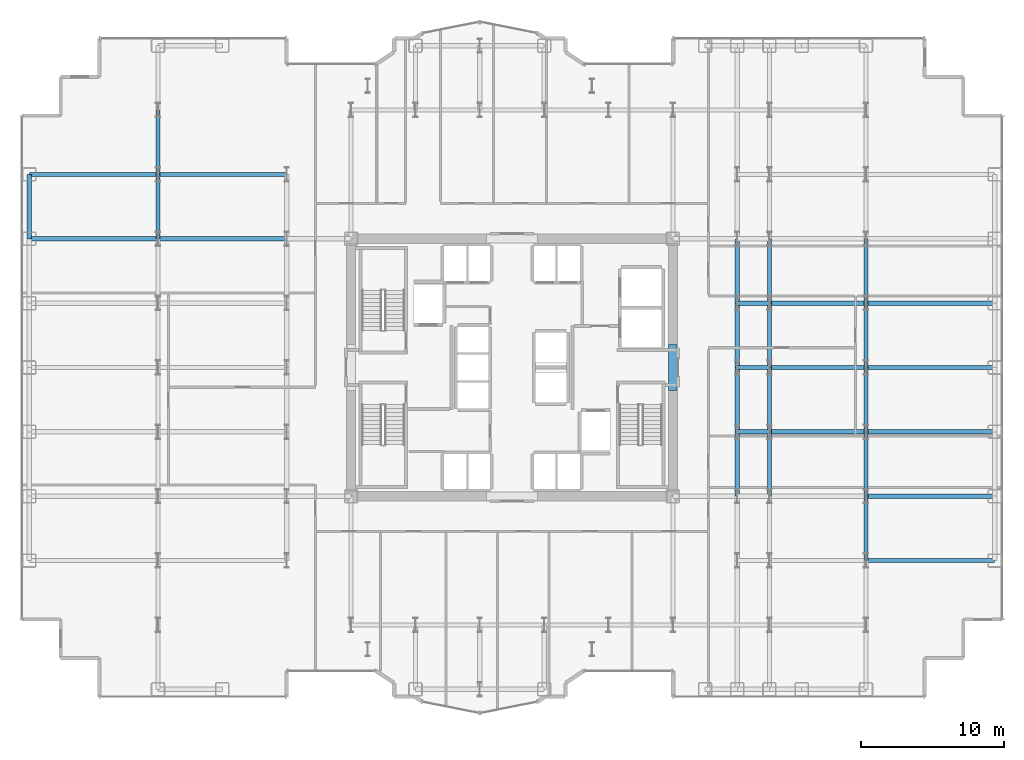
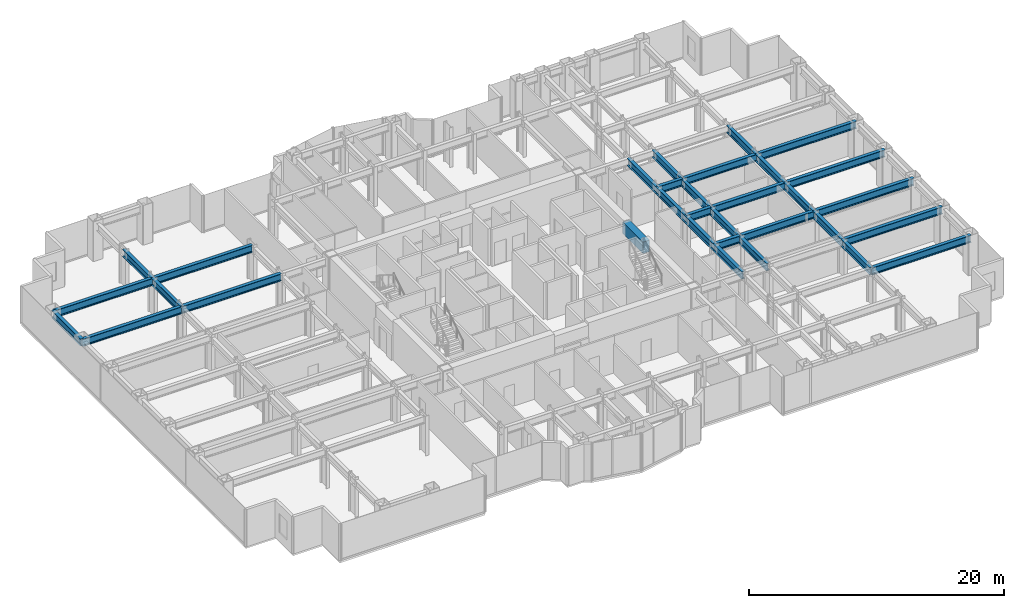
# One storey, part 8 of 26: 32 beams.
"""IFC4 building model written with IfcOpenShell, lengths in metres."""

import ifcopenshell
import ifcopenshell.guid

model = None  # the IFC model being written
_history = None  # IfcOwnerHistory: only IFC2X3 demands one
_inside = {}  # id of a spatial element -> (the spatial element, [elements in it])
_under = {}  # id of a project, library or spatial element -> (it, [spatial elements below it])
_declared = {}  # id of a project -> (the project, [libraries it declares])
_typed = {}  # id of a type object -> (the type object, [elements of that type])
_made_of = {}  # id of a material, layer set ... -> (it, [elements and type objects made of it])


def new_model(schema):
    """Start an empty IFC model of exactly this schema.

    Asked for "IFC4X3", IfcOpenShell would pick the latest addendum, in which some entities
    have other attributes; the version numbers below select the first issue.
    IFC2X3 requires an IfcOwnerHistory on every rooted entity: one is made here for all.
    """
    global model, _history
    if schema == "IFC4X3":
        model = ifcopenshell.file(schema_version=(4, 3, 0, 0))
    else:
        model = ifcopenshell.file(schema=schema)
    _inside.clear()
    _under.clear()
    _declared.clear()
    _typed.clear()
    _made_of.clear()
    _history = None
    if model.schema == "IFC2X3":
        org = make("IfcOrganization", Name="unknown")
        user = make(
            "IfcPersonAndOrganization",
            ThePerson=make("IfcPerson", FamilyName="unknown"),
            TheOrganization=org,
        )
        app = make(
            "IfcApplication",
            ApplicationDeveloper=org,
            Version="unknown",
            ApplicationFullName="unknown",
            ApplicationIdentifier="unknown",
        )
        _history = make(
            "IfcOwnerHistory",
            OwningUser=user,
            OwningApplication=app,
            ChangeAction="ADDED",
            CreationDate=0,
        )
    return model


def make(cls, **values):
    """One entity of the class cls with the attributes given. An attribute that is None is left unset."""
    return model.create_entity(
        cls, **{name: value for name, value in values.items() if value is not None}
    )


def rooted(cls, **values):
    """An entity with a GlobalId (a new one), such as an element, a storey or a relation."""
    return make(cls, GlobalId=ifcopenshell.guid.new(), OwnerHistory=_history, **values)


def si_unit(unit_type, name, prefix=None):
    """IfcSIUnit, for example si_unit("LENGTHUNIT", "METRE", prefix="MILLI")."""
    return make("IfcSIUnit", UnitType=unit_type, Prefix=prefix, Name=name)


def assignment(units):
    """IfcUnitAssignment: the units of a project."""
    return None if units is None else make("IfcUnitAssignment", Units=units)


def point(xyz):
    """IfcCartesianPoint."""
    return None if xyz is None else make("IfcCartesianPoint", Coordinates=xyz)


def direction(xyz):
    """IfcDirection."""
    return None if xyz is None else make("IfcDirection", DirectionRatios=xyz)


def frame(location, z_axis=None, x_axis=None):
    """IfcAxis2Placement3D, a coordinate frame: its origin and axes. An axis left out is left unset."""
    return make(
        "IfcAxis2Placement3D",
        Location=point(location),
        Axis=direction(z_axis),
        RefDirection=direction(x_axis),
    )


def frame_2d(location, x_axis=None):
    """IfcAxis2Placement2D, a coordinate frame in the plane: its origin and x axis."""
    return make(
        "IfcAxis2Placement2D", Location=point(location), RefDirection=direction(x_axis)
    )


def origin():
    """The frame at (0, 0, 0) with its axes left unset."""
    return frame((0.0, 0.0, 0.0))


def origin_2d():
    """The frame at (0, 0) in the plane with its x axis left unset."""
    return frame_2d((0.0, 0.0))


def place(relative_to, where):
    """IfcLocalPlacement: puts the frame where relative to a parent placement (None: the world)."""
    return make(
        "IfcLocalPlacement", PlacementRelTo=relative_to, RelativePlacement=where
    )


def context(
    kind, dimensions, precision=None, world=None, true_north=None, identifier=None
):
    """IfcGeometricRepresentationContext, for example the 3D "Model" context."""
    return make(
        "IfcGeometricRepresentationContext",
        ContextIdentifier=identifier,
        ContextType=kind,
        CoordinateSpaceDimension=dimensions,
        Precision=precision,
        WorldCoordinateSystem=world,
        TrueNorth=true_north,
    )


def subcontext(parent, identifier, kind, view, scale=None):
    """IfcGeometricRepresentationSubContext, for example "Body" below "Model"."""
    return make(
        "IfcGeometricRepresentationSubContext",
        ContextIdentifier=identifier,
        ContextType=kind,
        ParentContext=parent,
        TargetScale=scale,
        TargetView=view,
    )


def project(units=None, contexts=None):
    """IfcProject with its units and contexts."""
    return rooted(
        "IfcProject",
        Name="project",
        RepresentationContexts=contexts,
        UnitsInContext=assignment(units),
    )


def spatial(cls, under=None, at=None, **own):
    """A site, building, storey or space (cls), placed at a placement, below another one or the project."""
    s = rooted(cls, ObjectPlacement=at, **own)
    if under is not None:
        _under.setdefault(under.id(), (under, []))[1].append(s)
    return s


def profile(cls, at=None, kind="AREA", **sizes):
    """A parametric profile (cls). Its sizes go by their IFC names, for example OverallWidth=200.0."""
    return make(cls, ProfileType=kind, Position=at, **sizes)


def rectangle(**sizes):
    """IfcRectangleProfileDef."""
    return profile("IfcRectangleProfileDef", **sizes)


def i_section(**sizes):
    """IfcIShapeProfileDef."""
    return profile("IfcIShapeProfileDef", **sizes)


def extrude(swept, where, along, depth):
    """IfcExtrudedAreaSolid: the profile swept, set in the frame where, extruded along a direction by depth."""
    return make(
        "IfcExtrudedAreaSolid",
        SweptArea=swept,
        Position=where,
        ExtrudedDirection=direction(along),
        Depth=depth,
    )


def shape(context_of_items, identifier, shape_type, items):
    """IfcShapeRepresentation: the items that make up one representation, for example the "Body"."""
    return make(
        "IfcShapeRepresentation",
        ContextOfItems=context_of_items,
        RepresentationIdentifier=identifier,
        RepresentationType=shape_type,
        Items=items,
    )


def source(mapping_origin, context_of_items, identifier, shape_type, items):
    """IfcRepresentationMap: a shape defined once, which mapped items show again and again."""
    return make(
        "IfcRepresentationMap",
        MappingOrigin=mapping_origin,
        MappedRepresentation=shape(context_of_items, identifier, shape_type, items),
    )


def transform(
    local_origin,
    x_axis=None,
    y_axis=None,
    z_axis=None,
    scale=None,
    scale2=None,
    scale3=None,
    uniform=True,
):
    """IfcCartesianTransformationOperator3D, or its non-uniform kind. x_axis, y_axis, z_axis: its Axis1, 2, 3."""
    if uniform:
        return make(
            "IfcCartesianTransformationOperator3D",
            Axis1=direction(x_axis),
            Axis2=direction(y_axis),
            LocalOrigin=point(local_origin),
            Scale=scale,
            Axis3=direction(z_axis),
        )
    return make(
        "IfcCartesianTransformationOperator3DnonUniform",
        Axis1=direction(x_axis),
        Axis2=direction(y_axis),
        LocalOrigin=point(local_origin),
        Scale=scale,
        Axis3=direction(z_axis),
        Scale2=scale2,
        Scale3=scale3,
    )


def mapped(mapping_source, mapping_target):
    """IfcMappedItem: shows the shape of a source again, moved by a transform."""
    return make(
        "IfcMappedItem", MappingSource=mapping_source, MappingTarget=mapping_target
    )


def material(Name=None, Category=None):
    """IfcMaterial."""
    return make("IfcMaterial", Name=Name, Category=Category)


def material_profile(
    of_material, cross_section, Name=None, Category=None, Priority=None
):
    """IfcMaterialProfile: a cross section and its material."""
    return make(
        "IfcMaterialProfile",
        Name=Name,
        Material=of_material,
        Profile=cross_section,
        Priority=Priority,
        Category=Category,
    )


def profile_set(profiles, Name=None, composite=None):
    """IfcMaterialProfileSet."""
    return make(
        "IfcMaterialProfileSet",
        Name=Name,
        MaterialProfiles=profiles,
        CompositeProfile=composite,
    )


def made_of(thing, what):
    """Note that an element or type object is made of a material, layer set ...; save() writes the relation."""
    if what is not None:
        _made_of.setdefault(what.id(), (what, []))[1].append(thing)
    return thing


def type_object(cls, material=None, **own):
    """A type object (cls), such as IfcWallType, which elements share."""
    return made_of(rooted(cls, **own), material)


def element(
    cls,
    number,
    at=None,
    inside=None,
    cuts=None,
    type_object=None,
    material=None,
    context=None,
    identifier="Body",
    shape_type=None,
    held_by="IfcProductDefinitionShape",
    body=None,
    shapes=None,
    **own,
):
    """One element of the class cls, such as IfcWall. Its Tag is "e" and its number.

    at: its placement. inside: the storey or other place that contains it. cuts: it is an
    opening in that element (IfcRelVoidsElement). A single representation is given by context,
    identifier, shape_type and body (its items); several are given by shapes. held_by: the class
    of the entity that holds the representations. save() writes the other relations.
    """
    e = rooted(cls, Tag="e%d" % number, ObjectPlacement=at, **own)
    if body is not None:
        shapes = [shape(context, identifier, shape_type, body)]
    if shapes is not None:
        e.Representation = make(held_by, Representations=shapes)
    if inside is not None:
        _inside.setdefault(inside.id(), (inside, []))[1].append(e)
    if cuts is not None:
        rooted(
            "IfcRelVoidsElement", RelatingBuildingElement=cuts, RelatedOpeningElement=e
        )
    if type_object is not None:
        _typed.setdefault(type_object.id(), (type_object, []))[1].append(e)
    return made_of(e, material)


def aggregate(whole, parts):
    """IfcRelAggregates: a whole, such as a stair, and the parts it consists of."""
    return rooted("IfcRelAggregates", RelatingObject=whole, RelatedObjects=parts)


def save(model, path):
    """Write the relations noted so far, then the file.

    IfcRelAggregates (storeys below a building ...), IfcRelContainedInSpatialStructure (elements
    in a storey), IfcRelDefinesByType, IfcRelAssociatesMaterial and IfcRelDeclares: one each for
    every whole, place, type object, material and project.
    """
    for whole, parts in _under.values():
        aggregate(whole, parts)
    for where, things in _inside.values():
        rooted(
            "IfcRelContainedInSpatialStructure",
            RelatedElements=things,
            RelatingStructure=where,
        )
    for kind, things in _typed.values():
        rooted("IfcRelDefinesByType", RelatedObjects=things, RelatingType=kind)
    for what, things in _made_of.values():
        rooted("IfcRelAssociatesMaterial", RelatedObjects=things, RelatingMaterial=what)
    for by, libraries in _declared.values():
        rooted("IfcRelDeclares", RelatingContext=by, RelatedDefinitions=libraries)
    model.write(path)


model = new_model("IFC4")

# Units and contexts
model_context = context("Model", 3, precision=1e-05, world=origin(), true_north=direction((0.0, 1.0)))
body_context = subcontext(model_context, "Body", "Model", "MODEL_VIEW")
ifc_project = project(units=[si_unit("LENGTHUNIT", "METRE"), si_unit("AREAUNIT", "SQUARE_METRE"), si_unit("VOLUMEUNIT", "CUBIC_METRE"), si_unit("PLANEANGLEUNIT", "RADIAN"), si_unit("MASSUNIT", "GRAM", prefix="KILO")], contexts=[model_context])

# Site, building, storey
site_placement = place(None, origin())
site = spatial("IfcSite", under=ifc_project, at=site_placement, CompositionType="ELEMENT")
building_placement = place(site_placement, origin())
building = spatial("IfcBuilding", under=site, at=building_placement, Name="Nefas-Gora Pilgrimage Tower", CompositionType="ELEMENT")
storey_placement = place(building_placement, frame((0.0, 0.0, 36.800048828125)))
storey = spatial("IfcBuildingStorey", under=building, at=storey_placement, Name="L07", CompositionType="ELEMENT", Elevation=36.800048828125)

# Beams
ifc_material_1 = material(Name="Concrete C60/75", Category="concrete")
ifc_material_profile_1 = material_profile(ifc_material_1, rectangle(XDim=0.60009765625, YDim=1.10009765625, at=origin_2d()), Name="RC 600x1100")
ifc_profile_set_1 = profile_set([ifc_material_profile_1], Name="Concrete C60/75")
beam_type_1 = type_object("IfcBeamType", Name="BM-LIN-RC1100", PredefinedType="LINTEL", material=ifc_profile_set_1)
shared_shape_1 = source(origin(), body_context, "Body", "SweptSolid", [
    extrude(rectangle(XDim=0.60009765625, YDim=1.10009765625, at=origin_2d()), origin(), (0.0, 0.0, 1.0), 3.2001953125),
])
beam_1_placement = place(storey_placement, frame((11.25, -1.60009765625, 3.0), z_axis=(0.0, 1.0, 0.0), x_axis=(-1.0, 0.0, 0.0)))
element("IfcBeam", 1, at=beam_1_placement, inside=storey, type_object=beam_type_1, Name="L07 Core Coupling Lintel Beam E", PredefinedType="LINTEL", context=body_context, shape_type="MappedRepresentation", body=[
    mapped(shared_shape_1, transform((0.0, 0.0, 0.0), x_axis=(1.0, 0.0, 0.0), y_axis=(0.0, 1.0, 0.0), z_axis=(0.0, 0.0, 1.0), scale=1.0)),
])
ifc_material_2 = material(Name="Steel S355", Category="steel")
ifc_material_profile_2 = material_profile(ifc_material_2, i_section(OverallWidth=0.300048828125, OverallDepth=0.699951171875, WebThickness=0.01708984375, FlangeThickness=0.031982421875, FilletRadius=0.027099609375, at=origin_2d()), Name="HEB 700")
ifc_profile_set_2 = profile_set([ifc_material_profile_2], Name="Steel S355")
beam_type_2 = type_object("IfcBeamType", Name="BM-SPN-HEB600", PredefinedType="SPANDREL", material=ifc_profile_set_2)
shared_shape_2 = source(origin(), body_context, "Body", "SweptSolid", [
    extrude(i_section(OverallWidth=0.300048828125, OverallDepth=0.699951171875, WebThickness=0.01708984375, FlangeThickness=0.031982421875, FilletRadius=0.027099609375, at=origin_2d()), origin(), (0.0, 0.0, 1.0), 4.5),
])
beam_2_placement = place(storey_placement, frame((-33.75, 9.0, 3.199951171875), z_axis=(0.0, 1.0, 0.0), x_axis=(-1.0, 0.0, 0.0)))
element("IfcBeam", 2, at=beam_2_placement, inside=storey, type_object=beam_type_2, Name="L07 SP-01 beam", PredefinedType="SPANDREL", context=body_context, shape_type="MappedRepresentation", body=[
    mapped(shared_shape_2, transform((0.0, 0.0, 0.0), x_axis=(1.0, 0.0, 0.0), y_axis=(0.0, 1.0, 0.0), z_axis=(0.0, 0.0, 1.0), scale=1.0)),
])
ifc_material_profile_3 = material_profile(ifc_material_2, i_section(OverallWidth=0.300048828125, OverallDepth=0.699951171875, WebThickness=0.01708984375, FlangeThickness=0.031982421875, FilletRadius=0.027099609375, at=origin_2d()), Name="HEB 700")
ifc_profile_set_3 = profile_set([ifc_material_profile_3], Name="Steel S355")
beam_type_3 = type_object("IfcBeamType", Name="BM-GIR-HEB700", PredefinedType="BEAM", material=ifc_profile_set_3)
shared_shape_3 = source(origin(), body_context, "Body", "SweptSolid", [
    extrude(i_section(OverallWidth=0.300048828125, OverallDepth=0.699951171875, WebThickness=0.01708984375, FlangeThickness=0.031982421875, FilletRadius=0.027099609375, at=origin_2d()), origin(), (0.0, 0.0, 1.0), 9.0),
])
for number, where, z_axis, x_axis, name in (
    (3, (-33.75, 9.0, 3.199951171875), (1.0, 0.0, 0.0), (0.0, 1.0, 0.0), "L07 G-02 beam"),
    (4, (-33.75, 13.5, 3.199951171875), (1.0, 0.0, 0.0), (0.0, 1.0, 0.0), "L07 G-02 beam"),
    (5, (-24.75, 9.0, 3.199951171875), (1.0, 0.0, 0.0), (0.0, 1.0, 0.0), "L07 G-02 beam"),
    (6, (-24.75, 13.5, 3.199951171875), (1.0, 0.0, 0.0), (0.0, 1.0, 0.0), "L07 G-02 beam"),
    (7, (24.75, -13.5, 3.199951171875), (1.0, 0.0, 0.0), (0.0, 1.0, 0.0), "L07 G-02 beam"),
    (8, (24.75, -9.0, 3.199951171875), (1.0, 0.0, 0.0), (0.0, 1.0, 0.0), "L07 G-02 beam"),
    (9, (24.75, -4.5, 3.199951171875), (1.0, 0.0, 0.0), (0.0, 1.0, 0.0), "L07 G-02 beam"),
    (10, (24.75, 0.0, 3.199951171875), (1.0, 0.0, 0.0), (0.0, 1.0, 0.0), "L07 G-02 beam"),
    (11, (24.75, 4.5, 3.199951171875), (1.0, 0.0, 0.0), (0.0, 1.0, 0.0), "L07 G-02 beam"),
):
    element("IfcBeam", number, at=place(storey_placement, frame(where, z_axis=z_axis, x_axis=x_axis)), inside=storey, type_object=beam_type_3, Name=name, PredefinedType="BEAM", context=body_context, shape_type="MappedRepresentation", body=[
        mapped(shared_shape_3, transform((0.0, 0.0, 0.0), x_axis=(1.0, 0.0, 0.0), y_axis=(0.0, 1.0, 0.0), z_axis=(0.0, 0.0, 1.0), scale=1.0)),
    ])
shared_shape_4 = source(origin(), body_context, "Body", "SweptSolid", [
    extrude(i_section(OverallWidth=0.300048828125, OverallDepth=0.699951171875, WebThickness=0.01708984375, FlangeThickness=0.031982421875, FilletRadius=0.027099609375, at=origin_2d()), origin(), (0.0, 0.0, 1.0), 4.5),
])
for number, where, z_axis, x_axis, name in (
    (12, (-24.75, 9.0, 3.199951171875), (0.0, 1.0, 0.0), (-1.0, 0.0, 0.0), "L07 G-02 beam"),
    (13, (-24.75, 13.5, 3.199951171875), (0.0, 1.0, 0.0), (-1.0, 0.0, 0.0), "L07 G-02 beam"),
    (14, (15.75, -9.0, 3.199951171875), (0.0, 1.0, 0.0), (-1.0, 0.0, 0.0), "L07 G-02 beam"),
    (15, (15.75, -4.5, 3.199951171875), (0.0, 1.0, 0.0), (-1.0, 0.0, 0.0), "L07 G-02 beam"),
    (16, (15.75, 0.0, 3.199951171875), (0.0, 1.0, 0.0), (-1.0, 0.0, 0.0), "L07 G-02 beam"),
    (17, (15.75, 4.5, 3.199951171875), (0.0, 1.0, 0.0), (-1.0, 0.0, 0.0), "L07 G-02 beam"),
    (18, (18.0, -9.0, 3.199951171875), (0.0, 1.0, 0.0), (-1.0, 0.0, 0.0), "L07 G-02 beam"),
    (19, (18.0, -4.5, 3.199951171875), (0.0, 1.0, 0.0), (-1.0, 0.0, 0.0), "L07 G-02 beam"),
    (20, (18.0, 0.0, 3.199951171875), (0.0, 1.0, 0.0), (-1.0, 0.0, 0.0), "L07 G-02 beam"),
    (21, (18.0, 4.5, 3.199951171875), (0.0, 1.0, 0.0), (-1.0, 0.0, 0.0), "L07 G-02 beam"),
    (22, (24.75, -13.5, 3.199951171875), (0.0, 1.0, 0.0), (-1.0, 0.0, 0.0), "L07 G-02 beam"),
    (23, (24.75, -9.0, 3.199951171875), (0.0, 1.0, 0.0), (-1.0, 0.0, 0.0), "L07 G-02 beam"),
    (24, (24.75, -4.5, 3.199951171875), (0.0, 1.0, 0.0), (-1.0, 0.0, 0.0), "L07 G-02 beam"),
    (25, (24.75, 0.0, 3.199951171875), (0.0, 1.0, 0.0), (-1.0, 0.0, 0.0), "L07 G-02 beam"),
    (26, (24.75, 4.5, 3.199951171875), (0.0, 1.0, 0.0), (-1.0, 0.0, 0.0), "L07 G-02 beam"),
):
    element("IfcBeam", number, at=place(storey_placement, frame(where, z_axis=z_axis, x_axis=x_axis)), inside=storey, type_object=beam_type_3, Name=name, PredefinedType="BEAM", context=body_context, shape_type="MappedRepresentation", body=[
        mapped(shared_shape_4, transform((0.0, 0.0, 0.0), x_axis=(1.0, 0.0, 0.0), y_axis=(0.0, 1.0, 0.0), z_axis=(0.0, 0.0, 1.0), scale=1.0)),
    ])
shared_shape_5 = source(origin(), body_context, "Body", "SweptSolid", [
    extrude(i_section(OverallWidth=0.300048828125, OverallDepth=0.699951171875, WebThickness=0.01708984375, FlangeThickness=0.031982421875, FilletRadius=0.027099609375, at=origin_2d()), origin(), (0.0, 0.0, 1.0), 6.75),
])
for number, where, z_axis, x_axis, name in (
    (27, (18.0, -4.5, 3.199951171875), (1.0, 0.0, 0.0), (0.0, 1.0, 0.0), "L07 G-02 beam"),
    (28, (18.0, 0.0, 3.199951171875), (1.0, 0.0, 0.0), (0.0, 1.0, 0.0), "L07 G-02 beam"),
    (29, (18.0, 4.5, 3.199951171875), (1.0, 0.0, 0.0), (0.0, 1.0, 0.0), "L07 G-02 beam"),
):
    element("IfcBeam", number, at=place(storey_placement, frame(where, z_axis=z_axis, x_axis=x_axis)), inside=storey, type_object=beam_type_3, Name=name, PredefinedType="BEAM", context=body_context, shape_type="MappedRepresentation", body=[
        mapped(shared_shape_5, transform((0.0, 0.0, 0.0), x_axis=(1.0, 0.0, 0.0), y_axis=(0.0, 1.0, 0.0), z_axis=(0.0, 0.0, 1.0), scale=1.0)),
    ])
shared_shape_6 = source(origin(), body_context, "Body", "SweptSolid", [
    extrude(i_section(OverallWidth=0.300048828125, OverallDepth=0.699951171875, WebThickness=0.01708984375, FlangeThickness=0.031982421875, FilletRadius=0.027099609375, at=origin_2d()), origin(), (0.0, 0.0, 1.0), 2.25),
])
for number, where, z_axis, x_axis, name in (
    (30, (15.75, -4.5, 3.199951171875), (1.0, 0.0, 0.0), (0.0, 1.0, 0.0), "L07 G-02 beam"),
    (31, (15.75, 0.0, 3.199951171875), (1.0, 0.0, 0.0), (0.0, 1.0, 0.0), "L07 G-02 beam"),
    (32, (15.75, 4.5, 3.199951171875), (1.0, 0.0, 0.0), (0.0, 1.0, 0.0), "L07 G-02 beam"),
):
    element("IfcBeam", number, at=place(storey_placement, frame(where, z_axis=z_axis, x_axis=x_axis)), inside=storey, type_object=beam_type_3, Name=name, PredefinedType="BEAM", context=body_context, shape_type="MappedRepresentation", body=[
        mapped(shared_shape_6, transform((0.0, 0.0, 0.0), x_axis=(1.0, 0.0, 0.0), y_axis=(0.0, 1.0, 0.0), z_axis=(0.0, 0.0, 1.0), scale=1.0)),
    ])

save(model, "model.ifc")
